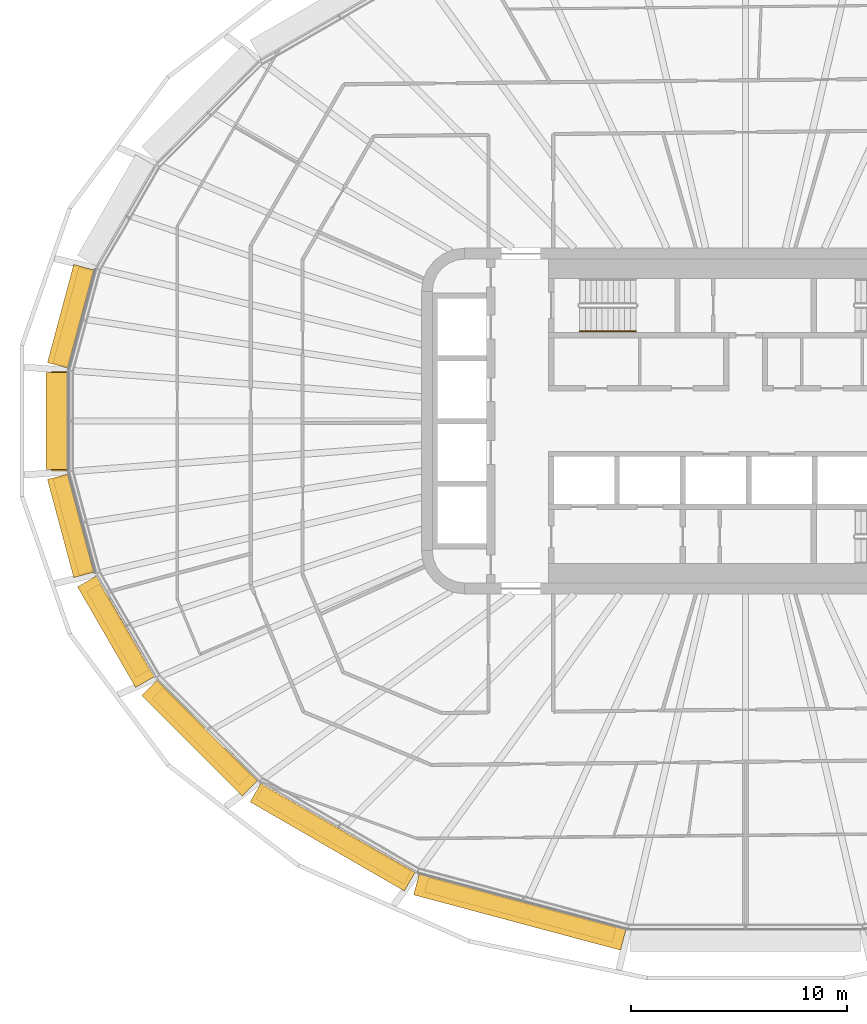
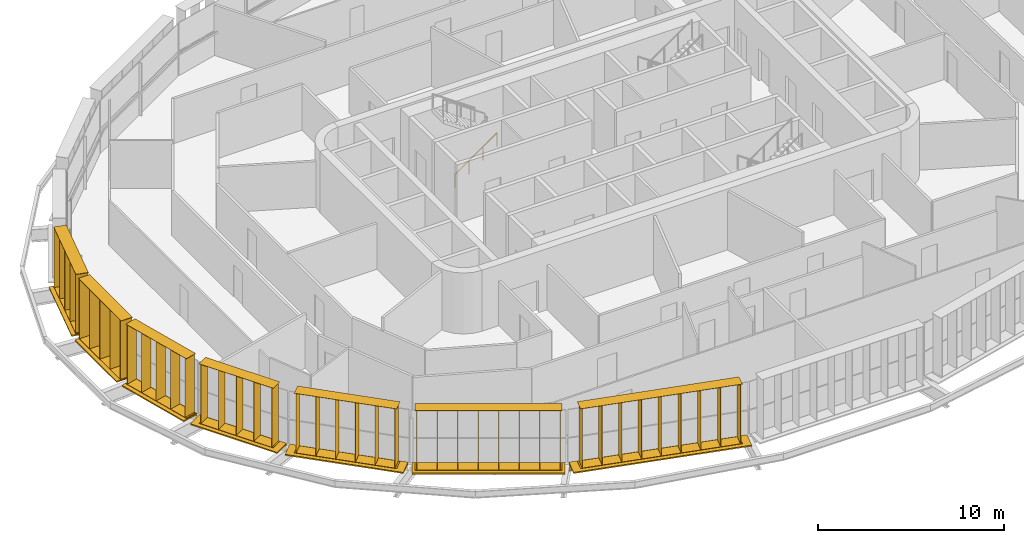
# One storey, part 18 of 23: 14 shading devices, 1 railing.
"""IFC4 building model written with IfcOpenShell, lengths in metres."""

import ifcopenshell
import ifcopenshell.guid

model = None  # the IFC model being written
_history = None  # IfcOwnerHistory: only IFC2X3 demands one
_inside = {}  # id of a spatial element -> (the spatial element, [elements in it])
_under = {}  # id of a project, library or spatial element -> (it, [spatial elements below it])
_declared = {}  # id of a project -> (the project, [libraries it declares])
_typed = {}  # id of a type object -> (the type object, [elements of that type])
_made_of = {}  # id of a material, layer set ... -> (it, [elements and type objects made of it])


def new_model(schema):
    """Start an empty IFC model of exactly this schema.

    Asked for "IFC4X3", IfcOpenShell would pick the latest addendum, in which some entities
    have other attributes; the version numbers below select the first issue.
    IFC2X3 requires an IfcOwnerHistory on every rooted entity: one is made here for all.
    """
    global model, _history
    if schema == "IFC4X3":
        model = ifcopenshell.file(schema_version=(4, 3, 0, 0))
    else:
        model = ifcopenshell.file(schema=schema)
    _inside.clear()
    _under.clear()
    _declared.clear()
    _typed.clear()
    _made_of.clear()
    _history = None
    if model.schema == "IFC2X3":
        org = make("IfcOrganization", Name="unknown")
        user = make(
            "IfcPersonAndOrganization",
            ThePerson=make("IfcPerson", FamilyName="unknown"),
            TheOrganization=org,
        )
        app = make(
            "IfcApplication",
            ApplicationDeveloper=org,
            Version="unknown",
            ApplicationFullName="unknown",
            ApplicationIdentifier="unknown",
        )
        _history = make(
            "IfcOwnerHistory",
            OwningUser=user,
            OwningApplication=app,
            ChangeAction="ADDED",
            CreationDate=0,
        )
    return model


def make(cls, **values):
    """One entity of the class cls with the attributes given. An attribute that is None is left unset."""
    return model.create_entity(
        cls, **{name: value for name, value in values.items() if value is not None}
    )


def rooted(cls, **values):
    """An entity with a GlobalId (a new one), such as an element, a storey or a relation."""
    return make(cls, GlobalId=ifcopenshell.guid.new(), OwnerHistory=_history, **values)


def si_unit(unit_type, name, prefix=None):
    """IfcSIUnit, for example si_unit("LENGTHUNIT", "METRE", prefix="MILLI")."""
    return make("IfcSIUnit", UnitType=unit_type, Prefix=prefix, Name=name)


def assignment(units):
    """IfcUnitAssignment: the units of a project."""
    return None if units is None else make("IfcUnitAssignment", Units=units)


def point(xyz):
    """IfcCartesianPoint."""
    return None if xyz is None else make("IfcCartesianPoint", Coordinates=xyz)


def direction(xyz):
    """IfcDirection."""
    return None if xyz is None else make("IfcDirection", DirectionRatios=xyz)


def frame(location, z_axis=None, x_axis=None):
    """IfcAxis2Placement3D, a coordinate frame: its origin and axes. An axis left out is left unset."""
    return make(
        "IfcAxis2Placement3D",
        Location=point(location),
        Axis=direction(z_axis),
        RefDirection=direction(x_axis),
    )


def frame_2d(location, x_axis=None):
    """IfcAxis2Placement2D, a coordinate frame in the plane: its origin and x axis."""
    return make(
        "IfcAxis2Placement2D", Location=point(location), RefDirection=direction(x_axis)
    )


def origin():
    """The frame at (0, 0, 0) with its axes left unset."""
    return frame((0.0, 0.0, 0.0))


def origin_2d():
    """The frame at (0, 0) in the plane with its x axis left unset."""
    return frame_2d((0.0, 0.0))


def place(relative_to, where):
    """IfcLocalPlacement: puts the frame where relative to a parent placement (None: the world)."""
    return make(
        "IfcLocalPlacement", PlacementRelTo=relative_to, RelativePlacement=where
    )


def context(
    kind, dimensions, precision=None, world=None, true_north=None, identifier=None
):
    """IfcGeometricRepresentationContext, for example the 3D "Model" context."""
    return make(
        "IfcGeometricRepresentationContext",
        ContextIdentifier=identifier,
        ContextType=kind,
        CoordinateSpaceDimension=dimensions,
        Precision=precision,
        WorldCoordinateSystem=world,
        TrueNorth=true_north,
    )


def subcontext(parent, identifier, kind, view, scale=None):
    """IfcGeometricRepresentationSubContext, for example "Body" below "Model"."""
    return make(
        "IfcGeometricRepresentationSubContext",
        ContextIdentifier=identifier,
        ContextType=kind,
        ParentContext=parent,
        TargetScale=scale,
        TargetView=view,
    )


def project(units=None, contexts=None):
    """IfcProject with its units and contexts."""
    return rooted(
        "IfcProject",
        Name="project",
        RepresentationContexts=contexts,
        UnitsInContext=assignment(units),
    )


def spatial(cls, under=None, at=None, **own):
    """A site, building, storey or space (cls), placed at a placement, below another one or the project."""
    s = rooted(cls, ObjectPlacement=at, **own)
    if under is not None:
        _under.setdefault(under.id(), (under, []))[1].append(s)
    return s


def profile(cls, at=None, kind="AREA", **sizes):
    """A parametric profile (cls). Its sizes go by their IFC names, for example OverallWidth=200.0."""
    return make(cls, ProfileType=kind, Position=at, **sizes)


def rectangle(**sizes):
    """IfcRectangleProfileDef."""
    return profile("IfcRectangleProfileDef", **sizes)


def circle(**sizes):
    """IfcCircleProfileDef."""
    return profile("IfcCircleProfileDef", **sizes)


def extrude(swept, where, along, depth):
    """IfcExtrudedAreaSolid: the profile swept, set in the frame where, extruded along a direction by depth."""
    return make(
        "IfcExtrudedAreaSolid",
        SweptArea=swept,
        Position=where,
        ExtrudedDirection=direction(along),
        Depth=depth,
    )


def shape(context_of_items, identifier, shape_type, items):
    """IfcShapeRepresentation: the items that make up one representation, for example the "Body"."""
    return make(
        "IfcShapeRepresentation",
        ContextOfItems=context_of_items,
        RepresentationIdentifier=identifier,
        RepresentationType=shape_type,
        Items=items,
    )


def material(Name=None, Category=None):
    """IfcMaterial."""
    return make("IfcMaterial", Name=Name, Category=Category)


def made_of(thing, what):
    """Note that an element or type object is made of a material, layer set ...; save() writes the relation."""
    if what is not None:
        _made_of.setdefault(what.id(), (what, []))[1].append(thing)
    return thing


def type_object(cls, material=None, **own):
    """A type object (cls), such as IfcWallType, which elements share."""
    return made_of(rooted(cls, **own), material)


def element(
    cls,
    number,
    at=None,
    inside=None,
    cuts=None,
    type_object=None,
    material=None,
    context=None,
    identifier="Body",
    shape_type=None,
    held_by="IfcProductDefinitionShape",
    body=None,
    shapes=None,
    **own,
):
    """One element of the class cls, such as IfcWall. Its Tag is "e" and its number.

    at: its placement. inside: the storey or other place that contains it. cuts: it is an
    opening in that element (IfcRelVoidsElement). A single representation is given by context,
    identifier, shape_type and body (its items); several are given by shapes. held_by: the class
    of the entity that holds the representations. save() writes the other relations.
    """
    e = rooted(cls, Tag="e%d" % number, ObjectPlacement=at, **own)
    if body is not None:
        shapes = [shape(context, identifier, shape_type, body)]
    if shapes is not None:
        e.Representation = make(held_by, Representations=shapes)
    if inside is not None:
        _inside.setdefault(inside.id(), (inside, []))[1].append(e)
    if cuts is not None:
        rooted(
            "IfcRelVoidsElement", RelatingBuildingElement=cuts, RelatedOpeningElement=e
        )
    if type_object is not None:
        _typed.setdefault(type_object.id(), (type_object, []))[1].append(e)
    return made_of(e, material)


def aggregate(whole, parts):
    """IfcRelAggregates: a whole, such as a stair, and the parts it consists of."""
    return rooted("IfcRelAggregates", RelatingObject=whole, RelatedObjects=parts)


def save(model, path):
    """Write the relations noted so far, then the file.

    IfcRelAggregates (storeys below a building ...), IfcRelContainedInSpatialStructure (elements
    in a storey), IfcRelDefinesByType, IfcRelAssociatesMaterial and IfcRelDeclares: one each for
    every whole, place, type object, material and project.
    """
    for whole, parts in _under.values():
        aggregate(whole, parts)
    for where, things in _inside.values():
        rooted(
            "IfcRelContainedInSpatialStructure",
            RelatedElements=things,
            RelatingStructure=where,
        )
    for kind, things in _typed.values():
        rooted("IfcRelDefinesByType", RelatedObjects=things, RelatingType=kind)
    for what, things in _made_of.values():
        rooted("IfcRelAssociatesMaterial", RelatedObjects=things, RelatingMaterial=what)
    for by, libraries in _declared.values():
        rooted("IfcRelDeclares", RelatingContext=by, RelatedDefinitions=libraries)
    model.write(path)


model = new_model("IFC4")

# Units and contexts
model_context = context("Model", 3, precision=1e-05, world=origin(), true_north=direction((0.0, 1.0)))
body_context = subcontext(model_context, "Body", "Model", "MODEL_VIEW")
ifc_project = project(units=[si_unit("LENGTHUNIT", "METRE"), si_unit("AREAUNIT", "SQUARE_METRE"), si_unit("VOLUMEUNIT", "CUBIC_METRE"), si_unit("PLANEANGLEUNIT", "RADIAN"), si_unit("MASSUNIT", "GRAM", prefix="KILO")], contexts=[model_context])

# Site, building, storey
site_placement = place(None, origin())
site = spatial("IfcSite", under=ifc_project, at=site_placement, CompositionType="ELEMENT")
building_placement = place(site_placement, origin())
building = spatial("IfcBuilding", under=site, at=building_placement, Name="Sahrelin Media Tower", CompositionType="ELEMENT")
storey_placement = place(building_placement, frame((0.0, 0.0, 157.60009765625)))
storey = spatial("IfcBuildingStorey", under=building, at=storey_placement, Name="L32", CompositionType="ELEMENT", Elevation=157.60009765625)

# Shading devices
ifc_material_1 = material(Name="Champagne anodised aluminium 6063-T6", Category="aluminium")
shading_device_type_1 = type_object("IfcShadingDeviceType", Name="Fin cassette", PredefinedType="USERDEFINED", material=ifc_material_1)
placement_1 = place(storey_placement, frame((-30.71728515625, 4.709716796875, 0.0), z_axis=(0.0, 0.0, 1.0), x_axis=(0.258807731996, 0.965928857556, 0.0)))
element("IfcShadingDevice", 1, at=placement_1, inside=storey, type_object=shading_device_type_1, Name="L32:FIN:L32-11", ObjectType="FIN", PredefinedType="USERDEFINED", context=body_context, shape_type="SweptSolid", body=[
    extrude(rectangle(XDim=4.60009765625, YDim=0.699951171875, at=origin_2d()), frame((0.0, 0.419921875, 0.0)), (0.0, 0.0, 1.0), 0.02001953125),
    extrude(rectangle(XDim=4.60009765625, YDim=0.699951171875, at=origin_2d()), frame((0.0, 0.419921875, 3.89990234375)), (0.0, 0.0, 1.0), 0.02001953125),
    extrude(rectangle(XDim=0.02001953125, YDim=0.699951171875, at=origin_2d()), frame((-2.199951171875, 0.419921875, 0.010009765625), z_axis=(0.0, 0.0, 1.0), x_axis=(1.0, 0.0, 0.0)), (0.0, 0.0, 1.0), 3.89990234375),
    extrude(rectangle(XDim=0.02001953125, YDim=0.699951171875, at=origin_2d()), frame((-1.10009765625, 0.419921875, 0.010009765625), z_axis=(0.0, 0.0, 1.0), x_axis=(1.0, 0.0, 0.0)), (0.0, 0.0, 1.0), 3.89990234375),
    extrude(rectangle(XDim=0.02001953125, YDim=0.699951171875, at=origin_2d()), frame((0.0, 0.419921875, 0.010009765625), z_axis=(0.0, 0.0, 1.0), x_axis=(1.0, 0.0, 0.0)), (0.0, 0.0, 1.0), 3.89990234375),
    extrude(rectangle(XDim=0.02001953125, YDim=0.699951171875, at=origin_2d()), frame((1.10009765625, 0.419921875, 0.010009765625), z_axis=(0.0, 0.0, 1.0), x_axis=(1.0, 0.0, 0.0)), (0.0, 0.0, 1.0), 3.89990234375),
    extrude(rectangle(XDim=0.02001953125, YDim=0.699951171875, at=origin_2d()), frame((2.199951171875, 0.419921875, 0.010009765625), z_axis=(0.0, 0.0, 1.0), x_axis=(1.0, 0.0, 0.0)), (0.0, 0.0, 1.0), 3.89990234375),
])
placement_2 = place(storey_placement, frame((-31.3515625, 0.0, 0.0), z_axis=(0.0, 0.0, 1.0), x_axis=(0.0, 1.0, 0.0)))
element("IfcShadingDevice", 2, at=placement_2, inside=storey, type_object=shading_device_type_1, Name="L32:FIN:L32-12", ObjectType="FIN", PredefinedType="USERDEFINED", context=body_context, shape_type="SweptSolid", body=[
    extrude(rectangle(XDim=4.60009765625, YDim=0.699951171875, at=origin_2d()), frame((0.0, 0.419921875, 0.0)), (0.0, 0.0, 1.0), 0.02001953125),
    extrude(rectangle(XDim=4.60009765625, YDim=0.699951171875, at=origin_2d()), frame((0.0, 0.419921875, 3.89990234375)), (0.0, 0.0, 1.0), 0.02001953125),
    extrude(rectangle(XDim=0.02001953125, YDim=0.699951171875, at=origin_2d()), frame((-2.199951171875, 0.419921875, 0.010009765625), z_axis=(0.0, 0.0, 1.0), x_axis=(1.0, 0.0, 0.0)), (0.0, 0.0, 1.0), 3.89990234375),
    extrude(rectangle(XDim=0.02001953125, YDim=0.699951171875, at=origin_2d()), frame((-1.10009765625, 0.419921875, 0.010009765625), z_axis=(0.0, 0.0, 1.0), x_axis=(1.0, 0.0, 0.0)), (0.0, 0.0, 1.0), 3.89990234375),
    extrude(rectangle(XDim=0.02001953125, YDim=0.699951171875, at=origin_2d()), frame((0.0, 0.419921875, 0.010009765625), z_axis=(0.0, 0.0, 1.0), x_axis=(1.0, 0.0, 0.0)), (0.0, 0.0, 1.0), 3.89990234375),
    extrude(rectangle(XDim=0.02001953125, YDim=0.699951171875, at=origin_2d()), frame((1.10009765625, 0.419921875, 0.010009765625), z_axis=(0.0, 0.0, 1.0), x_axis=(1.0, 0.0, 0.0)), (0.0, 0.0, 1.0), 3.89990234375),
    extrude(rectangle(XDim=0.02001953125, YDim=0.699951171875, at=origin_2d()), frame((2.199951171875, 0.419921875, 0.010009765625), z_axis=(0.0, 0.0, 1.0), x_axis=(1.0, 0.0, 0.0)), (0.0, 0.0, 1.0), 3.89990234375),
])
placement_3 = place(storey_placement, frame((-30.71728515625, -4.709716796875, 0.0), z_axis=(0.0, 0.0, 1.0), x_axis=(-0.258807731996, 0.965928857556, 0.0)))
element("IfcShadingDevice", 3, at=placement_3, inside=storey, type_object=shading_device_type_1, Name="L32:FIN:L32-13", ObjectType="FIN", PredefinedType="USERDEFINED", context=body_context, shape_type="SweptSolid", body=[
    extrude(rectangle(XDim=4.60009765625, YDim=0.699951171875, at=origin_2d()), frame((0.0, 0.419921875, 0.0)), (0.0, 0.0, 1.0), 0.02001953125),
    extrude(rectangle(XDim=4.60009765625, YDim=0.699951171875, at=origin_2d()), frame((0.0, 0.419921875, 3.89990234375)), (0.0, 0.0, 1.0), 0.02001953125),
    extrude(rectangle(XDim=0.02001953125, YDim=0.699951171875, at=origin_2d()), frame((-2.199951171875, 0.419921875, 0.010009765625), z_axis=(0.0, 0.0, 1.0), x_axis=(1.0, 0.0, 0.0)), (0.0, 0.0, 1.0), 3.89990234375),
    extrude(rectangle(XDim=0.02001953125, YDim=0.699951171875, at=origin_2d()), frame((-1.10009765625, 0.419921875, 0.010009765625), z_axis=(0.0, 0.0, 1.0), x_axis=(1.0, 0.0, 0.0)), (0.0, 0.0, 1.0), 3.89990234375),
    extrude(rectangle(XDim=0.02001953125, YDim=0.699951171875, at=origin_2d()), frame((0.0, 0.419921875, 0.010009765625), z_axis=(0.0, 0.0, 1.0), x_axis=(1.0, 0.0, 0.0)), (0.0, 0.0, 1.0), 3.89990234375),
    extrude(rectangle(XDim=0.02001953125, YDim=0.699951171875, at=origin_2d()), frame((1.10009765625, 0.419921875, 0.010009765625), z_axis=(0.0, 0.0, 1.0), x_axis=(1.0, 0.0, 0.0)), (0.0, 0.0, 1.0), 3.89990234375),
    extrude(rectangle(XDim=0.02001953125, YDim=0.699951171875, at=origin_2d()), frame((2.199951171875, 0.419921875, 0.010009765625), z_axis=(0.0, 0.0, 1.0), x_axis=(1.0, 0.0, 0.0)), (0.0, 0.0, 1.0), 3.89990234375),
])
placement_4 = place(storey_placement, frame((-28.689208984375, -9.490966796875, 0.0), z_axis=(0.0, 0.0, 1.0), x_axis=(-0.500011000363, 0.866019052629, 0.0)))
element("IfcShadingDevice", 4, at=placement_4, inside=storey, type_object=shading_device_type_1, Name="L32:FIN:L32-14", ObjectType="FIN", PredefinedType="USERDEFINED", context=body_context, shape_type="SweptSolid", body=[
    extrude(rectangle(XDim=4.60009765625, YDim=0.699951171875, at=origin_2d()), frame((0.0, 0.419921875, 0.0)), (0.0, 0.0, 1.0), 0.02001953125),
    extrude(rectangle(XDim=4.60009765625, YDim=0.699951171875, at=origin_2d()), frame((0.0, 0.419921875, 3.89990234375)), (0.0, 0.0, 1.0), 0.02001953125),
    extrude(rectangle(XDim=0.02001953125, YDim=0.699951171875, at=origin_2d()), frame((-2.199951171875, 0.419921875, 0.010009765625), z_axis=(0.0, 0.0, 1.0), x_axis=(1.0, 0.0, 0.0)), (0.0, 0.0, 1.0), 3.89990234375),
    extrude(rectangle(XDim=0.02001953125, YDim=0.699951171875, at=origin_2d()), frame((-1.10009765625, 0.419921875, 0.010009765625), z_axis=(0.0, 0.0, 1.0), x_axis=(1.0, 0.0, 0.0)), (0.0, 0.0, 1.0), 3.89990234375),
    extrude(rectangle(XDim=0.02001953125, YDim=0.699951171875, at=origin_2d()), frame((0.0, 0.419921875, 0.010009765625), z_axis=(0.0, 0.0, 1.0), x_axis=(1.0, 0.0, 0.0)), (0.0, 0.0, 1.0), 3.89990234375),
    extrude(rectangle(XDim=0.02001953125, YDim=0.699951171875, at=origin_2d()), frame((1.10009765625, 0.419921875, 0.010009765625), z_axis=(0.0, 0.0, 1.0), x_axis=(1.0, 0.0, 0.0)), (0.0, 0.0, 1.0), 3.89990234375),
    extrude(rectangle(XDim=0.02001953125, YDim=0.699951171875, at=origin_2d()), frame((2.199951171875, 0.419921875, 0.010009765625), z_axis=(0.0, 0.0, 1.0), x_axis=(1.0, 0.0, 0.0)), (0.0, 0.0, 1.0), 3.89990234375),
])
placement_5 = place(storey_placement, frame((-24.900634765625, -14.30029296875, 0.0), z_axis=(0.0, 0.0, 1.0), x_axis=(-0.707106781187, 0.707106781187, 0.0)))
element("IfcShadingDevice", 5, at=placement_5, inside=storey, type_object=shading_device_type_1, Name="L32:FIN:L32-15", ObjectType="FIN", PredefinedType="USERDEFINED", context=body_context, shape_type="SweptSolid", body=[
    extrude(rectangle(XDim=5.699951171875, YDim=0.699951171875, at=origin_2d()), frame((0.0, 0.419921875, 0.0)), (0.0, 0.0, 1.0), 0.02001953125),
    extrude(rectangle(XDim=5.699951171875, YDim=0.699951171875, at=origin_2d()), frame((0.0, 0.419921875, 3.89990234375)), (0.0, 0.0, 1.0), 0.02001953125),
    extrude(rectangle(XDim=0.02001953125, YDim=0.699951171875, at=origin_2d()), frame((-2.75, 0.419921875, 0.010009765625), z_axis=(0.0, 0.0, 1.0), x_axis=(1.0, 0.0, 0.0)), (0.0, 0.0, 1.0), 3.89990234375),
    extrude(rectangle(XDim=0.02001953125, YDim=0.699951171875, at=origin_2d()), frame((-1.64990234375, 0.419921875, 0.010009765625), z_axis=(0.0, 0.0, 1.0), x_axis=(1.0, 0.0, 0.0)), (0.0, 0.0, 1.0), 3.89990234375),
    extrude(rectangle(XDim=0.02001953125, YDim=0.699951171875, at=origin_2d()), frame((-0.550048828125, 0.419921875, 0.010009765625), z_axis=(0.0, 0.0, 1.0), x_axis=(1.0, 0.0, 0.0)), (0.0, 0.0, 1.0), 3.89990234375),
    extrude(rectangle(XDim=0.02001953125, YDim=0.699951171875, at=origin_2d()), frame((0.550048828125, 0.419921875, 0.010009765625), z_axis=(0.0, 0.0, 1.0), x_axis=(1.0, 0.0, 0.0)), (0.0, 0.0, 1.0), 3.89990234375),
    extrude(rectangle(XDim=0.02001953125, YDim=0.699951171875, at=origin_2d()), frame((1.64990234375, 0.419921875, 0.010009765625), z_axis=(0.0, 0.0, 1.0), x_axis=(1.0, 0.0, 0.0)), (0.0, 0.0, 1.0), 3.89990234375),
    extrude(rectangle(XDim=0.02001953125, YDim=0.699951171875, at=origin_2d()), frame((2.75, 0.419921875, 0.010009765625), z_axis=(0.0, 0.0, 1.0), x_axis=(1.0, 0.0, 0.0)), (0.0, 0.0, 1.0), 3.89990234375),
])
placement_6 = place(storey_placement, frame((-18.85107421875, -18.804931640625, 0.0), z_axis=(0.0, 0.0, 1.0), x_axis=(-0.866019052629, 0.500011000363, 0.0)))
element("IfcShadingDevice", 6, at=placement_6, inside=storey, type_object=shading_device_type_1, Name="L32:FIN:L32-16", ObjectType="FIN", PredefinedType="USERDEFINED", context=body_context, shape_type="SweptSolid", body=[
    extrude(rectangle(XDim=7.89990234375, YDim=0.699951171875, at=origin_2d()), frame((0.0, 0.419921875, 0.0)), (0.0, 0.0, 1.0), 0.02001953125),
    extrude(rectangle(XDim=7.89990234375, YDim=0.699951171875, at=origin_2d()), frame((0.0, 0.419921875, 3.89990234375)), (0.0, 0.0, 1.0), 0.02001953125),
    extrude(rectangle(XDim=0.02001953125, YDim=0.699951171875, at=origin_2d()), frame((-3.85009765625, 0.419921875, 0.010009765625), z_axis=(0.0, 0.0, 1.0), x_axis=(1.0, 0.0, 0.0)), (0.0, 0.0, 1.0), 3.89990234375),
    extrude(rectangle(XDim=0.02001953125, YDim=0.699951171875, at=origin_2d()), frame((-2.75, 0.419921875, 0.010009765625), z_axis=(0.0, 0.0, 1.0), x_axis=(1.0, 0.0, 0.0)), (0.0, 0.0, 1.0), 3.89990234375),
    extrude(rectangle(XDim=0.02001953125, YDim=0.699951171875, at=origin_2d()), frame((-1.64990234375, 0.419921875, 0.010009765625), z_axis=(0.0, 0.0, 1.0), x_axis=(1.0, 0.0, 0.0)), (0.0, 0.0, 1.0), 3.89990234375),
    extrude(rectangle(XDim=0.02001953125, YDim=0.699951171875, at=origin_2d()), frame((-0.550048828125, 0.419921875, 0.010009765625), z_axis=(0.0, 0.0, 1.0), x_axis=(1.0, 0.0, 0.0)), (0.0, 0.0, 1.0), 3.89990234375),
    extrude(rectangle(XDim=0.02001953125, YDim=0.699951171875, at=origin_2d()), frame((0.550048828125, 0.419921875, 0.010009765625), z_axis=(0.0, 0.0, 1.0), x_axis=(1.0, 0.0, 0.0)), (0.0, 0.0, 1.0), 3.89990234375),
    extrude(rectangle(XDim=0.02001953125, YDim=0.699951171875, at=origin_2d()), frame((1.64990234375, 0.419921875, 0.010009765625), z_axis=(0.0, 0.0, 1.0), x_axis=(1.0, 0.0, 0.0)), (0.0, 0.0, 1.0), 3.89990234375),
    extrude(rectangle(XDim=0.02001953125, YDim=0.699951171875, at=origin_2d()), frame((2.75, 0.419921875, 0.010009765625), z_axis=(0.0, 0.0, 1.0), x_axis=(1.0, 0.0, 0.0)), (0.0, 0.0, 1.0), 3.89990234375),
    extrude(rectangle(XDim=0.02001953125, YDim=0.699951171875, at=origin_2d()), frame((3.85009765625, 0.419921875, 0.010009765625), z_axis=(0.0, 0.0, 1.0), x_axis=(1.0, 0.0, 0.0)), (0.0, 0.0, 1.0), 3.89990234375),
])
placement_7 = place(storey_placement, frame((-10.312255859375, -22.2236328125, 0.0), z_axis=(0.0, 0.0, 1.0), x_axis=(-0.965928857556, 0.258807731996, 0.0)))
element("IfcShadingDevice", 7, at=placement_7, inside=storey, type_object=shading_device_type_1, Name="L32:FIN:L32-17", ObjectType="FIN", PredefinedType="USERDEFINED", context=body_context, shape_type="SweptSolid", body=[
    extrude(rectangle(XDim=9.0, YDim=0.699951171875, at=origin_2d()), frame((0.0, 0.419921875, 0.0)), (0.0, 0.0, 1.0), 0.02001953125),
    extrude(rectangle(XDim=9.0, YDim=0.699951171875, at=origin_2d()), frame((0.0, 0.419921875, 3.89990234375)), (0.0, 0.0, 1.0), 0.02001953125),
    extrude(rectangle(XDim=0.02001953125, YDim=0.699951171875, at=origin_2d()), frame((-4.39990234375, 0.419921875, 0.010009765625), z_axis=(0.0, 0.0, 1.0), x_axis=(1.0, 0.0, 0.0)), (0.0, 0.0, 1.0), 3.89990234375),
    extrude(rectangle(XDim=0.02001953125, YDim=0.699951171875, at=origin_2d()), frame((-3.300048828125, 0.419921875, 0.010009765625), z_axis=(0.0, 0.0, 1.0), x_axis=(1.0, 0.0, 0.0)), (0.0, 0.0, 1.0), 3.89990234375),
    extrude(rectangle(XDim=0.02001953125, YDim=0.699951171875, at=origin_2d()), frame((-2.199951171875, 0.419921875, 0.010009765625), z_axis=(0.0, 0.0, 1.0), x_axis=(1.0, 0.0, 0.0)), (0.0, 0.0, 1.0), 3.89990234375),
    extrude(rectangle(XDim=0.02001953125, YDim=0.699951171875, at=origin_2d()), frame((-1.10009765625, 0.419921875, 0.010009765625), z_axis=(0.0, 0.0, 1.0), x_axis=(1.0, 0.0, 0.0)), (0.0, 0.0, 1.0), 3.89990234375),
    extrude(rectangle(XDim=0.02001953125, YDim=0.699951171875, at=origin_2d()), frame((0.0, 0.419921875, 0.010009765625), z_axis=(0.0, 0.0, 1.0), x_axis=(1.0, 0.0, 0.0)), (0.0, 0.0, 1.0), 3.89990234375),
    extrude(rectangle(XDim=0.02001953125, YDim=0.699951171875, at=origin_2d()), frame((1.10009765625, 0.419921875, 0.010009765625), z_axis=(0.0, 0.0, 1.0), x_axis=(1.0, 0.0, 0.0)), (0.0, 0.0, 1.0), 3.89990234375),
    extrude(rectangle(XDim=0.02001953125, YDim=0.699951171875, at=origin_2d()), frame((2.199951171875, 0.419921875, 0.010009765625), z_axis=(0.0, 0.0, 1.0), x_axis=(1.0, 0.0, 0.0)), (0.0, 0.0, 1.0), 3.89990234375),
    extrude(rectangle(XDim=0.02001953125, YDim=0.699951171875, at=origin_2d()), frame((3.300048828125, 0.419921875, 0.010009765625), z_axis=(0.0, 0.0, 1.0), x_axis=(1.0, 0.0, 0.0)), (0.0, 0.0, 1.0), 3.89990234375),
    extrude(rectangle(XDim=0.02001953125, YDim=0.699951171875, at=origin_2d()), frame((4.39990234375, 0.419921875, 0.010009765625), z_axis=(0.0, 0.0, 1.0), x_axis=(1.0, 0.0, 0.0)), (0.0, 0.0, 1.0), 3.89990234375),
])

# Railing
ifc_material_2 = material(Name="Steel S355", Category="steel")
railing_type = type_object("IfcRailingType", Name="Stair handrail 900", PredefinedType="HANDRAIL", material=ifc_material_2)
railing_placement = place(storey_placement, frame((-7.675048828125, 4.14990234375, 0.181640625)))
element("IfcRailing", 8, at=railing_placement, inside=storey, type_object=railing_type, Name="L32 ST1 stair handrail 1", PredefinedType="HANDRAIL", context=body_context, shape_type="SweptSolid", body=[
    extrude(circle(Radius=0.02392578125, at=origin_2d()), frame((0.0, 0.0, 0.8759765625), z_axis=(0.819484887739, 0.0, 0.573100792852), x_axis=(0.0, 1.0, 0.0)), (0.0, 0.0, 1.0), 3.1728515625),
    extrude(circle(Radius=0.02099609375, at=origin_2d()), origin(), (0.0, 0.0, 1.0), 0.851806640625),
    extrude(circle(Radius=0.02099609375, at=origin_2d()), frame((0.86669921875, 0.0, 0.606201171875)), (0.0, 0.0, 1.0), 0.851806640625),
    extrude(circle(Radius=0.02099609375, at=origin_2d()), frame((1.7333984375, 0.0, 1.212158203125)), (0.0, 0.0, 1.0), 0.851806640625),
    extrude(circle(Radius=0.02099609375, at=origin_2d()), frame((2.60009765625, 0.0, 1.818359375)), (0.0, 0.0, 1.0), 0.851806640625),
])

# Shading devices
shading_device_type_2 = type_object("IfcShadingDeviceType", Name="Sunshade band", PredefinedType="USERDEFINED", material=ifc_material_1)
element("IfcShadingDevice", 9, at=placement_1, inside=storey, type_object=shading_device_type_2, Name="L32:SUN:L32-11", ObjectType="SUNSHADE", PredefinedType="USERDEFINED", context=body_context, shape_type="SweptSolid", body=[
    extrude(rectangle(XDim=4.70068359375, YDim=0.050048828125, at=origin_2d()), frame((0.0, 0.044921875, -0.55126953125)), (0.0, 0.0, 1.0), 0.471435546875),
    extrude(rectangle(XDim=4.70068359375, YDim=1.0, at=origin_2d()), frame((0.0, 0.52001953125, -0.080078125)), (0.0, 0.0, 1.0), 0.080078125),
    extrude(rectangle(XDim=0.10009765625, YDim=0.074951171875, at=origin_2d()), frame((-2.250244140625, -0.017578125, -0.47021484375)), (0.0, 0.0, 1.0), 0.300048828125),
    extrude(rectangle(XDim=0.10009765625, YDim=0.074951171875, at=origin_2d()), frame((-0.75, -0.017578125, -0.47021484375)), (0.0, 0.0, 1.0), 0.300048828125),
    extrude(rectangle(XDim=0.10009765625, YDim=0.074951171875, at=origin_2d()), frame((0.75, -0.017578125, -0.47021484375)), (0.0, 0.0, 1.0), 0.300048828125),
    extrude(rectangle(XDim=0.10009765625, YDim=0.074951171875, at=origin_2d()), frame((2.250244140625, -0.017578125, -0.47021484375)), (0.0, 0.0, 1.0), 0.300048828125),
])
element("IfcShadingDevice", 10, at=placement_2, inside=storey, type_object=shading_device_type_2, Name="L32:SUN:L32-12", ObjectType="SUNSHADE", PredefinedType="USERDEFINED", context=body_context, shape_type="SweptSolid", body=[
    extrude(rectangle(XDim=4.486083984375, YDim=0.050048828125, at=origin_2d()), frame((0.0, 0.044921875, -0.55126953125)), (0.0, 0.0, 1.0), 0.471435546875),
    extrude(rectangle(XDim=4.486083984375, YDim=1.0, at=origin_2d()), frame((0.0, 0.52001953125, -0.080078125)), (0.0, 0.0, 1.0), 0.080078125),
    extrude(rectangle(XDim=0.10009765625, YDim=0.074951171875, at=origin_2d()), frame((-2.14306640625, -0.017578125, -0.47021484375)), (0.0, 0.0, 1.0), 0.300048828125),
    extrude(rectangle(XDim=0.10009765625, YDim=0.074951171875, at=origin_2d()), frame((-0.71435546875, -0.017578125, -0.47021484375)), (0.0, 0.0, 1.0), 0.300048828125),
    extrude(rectangle(XDim=0.10009765625, YDim=0.074951171875, at=origin_2d()), frame((0.71435546875, -0.017578125, -0.47021484375)), (0.0, 0.0, 1.0), 0.300048828125),
    extrude(rectangle(XDim=0.10009765625, YDim=0.074951171875, at=origin_2d()), frame((2.14306640625, -0.017578125, -0.47021484375)), (0.0, 0.0, 1.0), 0.300048828125),
])
element("IfcShadingDevice", 11, at=placement_3, inside=storey, type_object=shading_device_type_2, Name="L32:SUN:L32-13", ObjectType="SUNSHADE", PredefinedType="USERDEFINED", context=body_context, shape_type="SweptSolid", body=[
    extrude(rectangle(XDim=4.70068359375, YDim=0.050048828125, at=origin_2d()), frame((0.0, 0.044921875, -0.55126953125)), (0.0, 0.0, 1.0), 0.471435546875),
    extrude(rectangle(XDim=4.70068359375, YDim=1.0, at=origin_2d()), frame((0.0, 0.52001953125, -0.080078125)), (0.0, 0.0, 1.0), 0.080078125),
    extrude(rectangle(XDim=0.10009765625, YDim=0.074951171875, at=origin_2d()), frame((-2.250244140625, -0.017578125, -0.47021484375)), (0.0, 0.0, 1.0), 0.300048828125),
    extrude(rectangle(XDim=0.10009765625, YDim=0.074951171875, at=origin_2d()), frame((-0.75, -0.017578125, -0.47021484375)), (0.0, 0.0, 1.0), 0.300048828125),
    extrude(rectangle(XDim=0.10009765625, YDim=0.074951171875, at=origin_2d()), frame((0.75, -0.017578125, -0.47021484375)), (0.0, 0.0, 1.0), 0.300048828125),
    extrude(rectangle(XDim=0.10009765625, YDim=0.074951171875, at=origin_2d()), frame((2.250244140625, -0.017578125, -0.47021484375)), (0.0, 0.0, 1.0), 0.300048828125),
])
element("IfcShadingDevice", 12, at=placement_4, inside=storey, type_object=shading_device_type_2, Name="L32:SUN:L32-14", ObjectType="SUNSHADE", PredefinedType="USERDEFINED", context=body_context, shape_type="SweptSolid", body=[
    extrude(rectangle(XDim=5.375732421875, YDim=0.050048828125, at=origin_2d()), frame((0.0, 0.044921875, -0.55126953125)), (0.0, 0.0, 1.0), 0.471435546875),
    extrude(rectangle(XDim=5.375732421875, YDim=1.0, at=origin_2d()), frame((0.0, 0.52001953125, -0.080078125)), (0.0, 0.0, 1.0), 0.080078125),
    extrude(rectangle(XDim=0.10009765625, YDim=0.074951171875, at=origin_2d()), frame((-2.587890625, -0.017578125, -0.47021484375)), (0.0, 0.0, 1.0), 0.300048828125),
    extrude(rectangle(XDim=0.10009765625, YDim=0.074951171875, at=origin_2d()), frame((-0.862548828125, -0.017578125, -0.47021484375)), (0.0, 0.0, 1.0), 0.300048828125),
    extrude(rectangle(XDim=0.10009765625, YDim=0.074951171875, at=origin_2d()), frame((0.862548828125, -0.017578125, -0.47021484375)), (0.0, 0.0, 1.0), 0.300048828125),
    extrude(rectangle(XDim=0.10009765625, YDim=0.074951171875, at=origin_2d()), frame((2.587890625, -0.017578125, -0.47021484375)), (0.0, 0.0, 1.0), 0.300048828125),
])
element("IfcShadingDevice", 13, at=placement_5, inside=storey, type_object=shading_device_type_2, Name="L32:SUN:L32-15", ObjectType="SUNSHADE", PredefinedType="USERDEFINED", context=body_context, shape_type="SweptSolid", body=[
    extrude(rectangle(XDim=6.573486328125, YDim=0.050048828125, at=origin_2d()), frame((0.0, 0.044921875, -0.55126953125)), (0.0, 0.0, 1.0), 0.471435546875),
    extrude(rectangle(XDim=6.573486328125, YDim=1.0, at=origin_2d()), frame((0.0, 0.52001953125, -0.080078125)), (0.0, 0.0, 1.0), 0.080078125),
    extrude(rectangle(XDim=0.10009765625, YDim=0.074951171875, at=origin_2d()), frame((-3.186767578125, -0.017578125, -0.47021484375)), (0.0, 0.0, 1.0), 0.300048828125),
    extrude(rectangle(XDim=0.10009765625, YDim=0.074951171875, at=origin_2d()), frame((-1.59326171875, -0.017578125, -0.47021484375)), (0.0, 0.0, 1.0), 0.300048828125),
    extrude(rectangle(XDim=0.10009765625, YDim=0.074951171875, at=origin_2d()), frame((0.0, -0.017578125, -0.47021484375)), (0.0, 0.0, 1.0), 0.300048828125),
    extrude(rectangle(XDim=0.10009765625, YDim=0.074951171875, at=origin_2d()), frame((1.59326171875, -0.017578125, -0.47021484375)), (0.0, 0.0, 1.0), 0.300048828125),
    extrude(rectangle(XDim=0.10009765625, YDim=0.074951171875, at=origin_2d()), frame((3.186767578125, -0.017578125, -0.47021484375)), (0.0, 0.0, 1.0), 0.300048828125),
])
element("IfcShadingDevice", 14, at=placement_6, inside=storey, type_object=shading_device_type_2, Name="L32:SUN:L32-16", ObjectType="SUNSHADE", PredefinedType="USERDEFINED", context=body_context, shape_type="SweptSolid", body=[
    extrude(rectangle(XDim=8.240478515625, YDim=0.050048828125, at=origin_2d()), frame((0.0, 0.044921875, -0.55126953125)), (0.0, 0.0, 1.0), 0.471435546875),
    extrude(rectangle(XDim=8.240478515625, YDim=1.0, at=origin_2d()), frame((0.0, 0.52001953125, -0.080078125)), (0.0, 0.0, 1.0), 0.080078125),
    extrude(rectangle(XDim=0.10009765625, YDim=0.074951171875, at=origin_2d()), frame((-4.020263671875, -0.017578125, -0.47021484375)), (0.0, 0.0, 1.0), 0.300048828125),
    extrude(rectangle(XDim=0.10009765625, YDim=0.074951171875, at=origin_2d()), frame((-2.412109375, -0.017578125, -0.47021484375)), (0.0, 0.0, 1.0), 0.300048828125),
    extrude(rectangle(XDim=0.10009765625, YDim=0.074951171875, at=origin_2d()), frame((-0.803955078125, -0.017578125, -0.47021484375)), (0.0, 0.0, 1.0), 0.300048828125),
    extrude(rectangle(XDim=0.10009765625, YDim=0.074951171875, at=origin_2d()), frame((0.803955078125, -0.017578125, -0.47021484375)), (0.0, 0.0, 1.0), 0.300048828125),
    extrude(rectangle(XDim=0.10009765625, YDim=0.074951171875, at=origin_2d()), frame((2.412109375, -0.017578125, -0.47021484375)), (0.0, 0.0, 1.0), 0.300048828125),
    extrude(rectangle(XDim=0.10009765625, YDim=0.074951171875, at=origin_2d()), frame((4.020263671875, -0.017578125, -0.47021484375)), (0.0, 0.0, 1.0), 0.300048828125),
])
element("IfcShadingDevice", 15, at=placement_7, inside=storey, type_object=shading_device_type_2, Name="L32:SUN:L32-17", ObjectType="SUNSHADE", PredefinedType="USERDEFINED", context=body_context, shape_type="SweptSolid", body=[
    extrude(rectangle(XDim=9.91259765625, YDim=0.050048828125, at=origin_2d()), frame((0.0, 0.044921875, -0.55126953125)), (0.0, 0.0, 1.0), 0.471435546875),
    extrude(rectangle(XDim=9.91259765625, YDim=1.0, at=origin_2d()), frame((0.0, 0.52001953125, -0.080078125)), (0.0, 0.0, 1.0), 0.080078125),
    extrude(rectangle(XDim=0.10009765625, YDim=0.074951171875, at=origin_2d()), frame((-4.856201171875, -0.017578125, -0.47021484375)), (0.0, 0.0, 1.0), 0.300048828125),
    extrude(rectangle(XDim=0.10009765625, YDim=0.074951171875, at=origin_2d()), frame((-2.913818359375, -0.017578125, -0.47021484375)), (0.0, 0.0, 1.0), 0.300048828125),
    extrude(rectangle(XDim=0.10009765625, YDim=0.074951171875, at=origin_2d()), frame((-0.97119140625, -0.017578125, -0.47021484375)), (0.0, 0.0, 1.0), 0.300048828125),
    extrude(rectangle(XDim=0.10009765625, YDim=0.074951171875, at=origin_2d()), frame((0.97119140625, -0.017578125, -0.47021484375)), (0.0, 0.0, 1.0), 0.300048828125),
    extrude(rectangle(XDim=0.10009765625, YDim=0.074951171875, at=origin_2d()), frame((2.913818359375, -0.017578125, -0.47021484375)), (0.0, 0.0, 1.0), 0.300048828125),
    extrude(rectangle(XDim=0.10009765625, YDim=0.074951171875, at=origin_2d()), frame((4.856201171875, -0.017578125, -0.47021484375)), (0.0, 0.0, 1.0), 0.300048828125),
])

save(model, "model.ifc")
